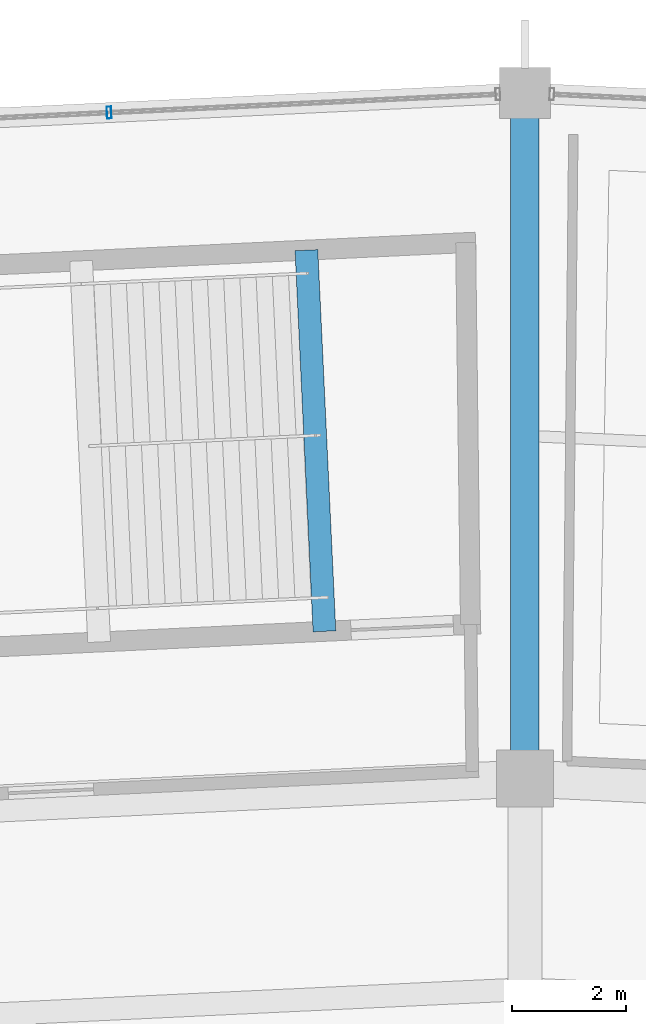
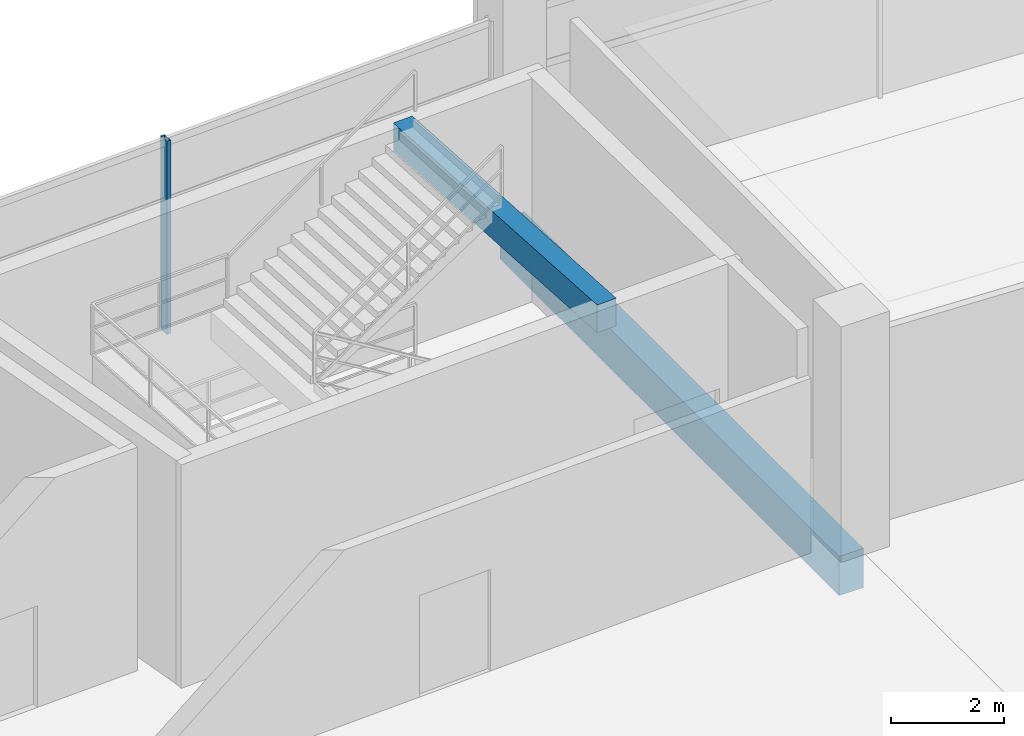
# One storey, part 120 of 184: 2 beams, 1 member, 1 element without a shape of its own.
"""IFC4 building model written with IfcOpenShell, lengths in metres."""

from ifc_helpers import new_model, si_unit, direction, frame, origin, origin_2d, place, context, subcontext, project, spatial, rectangle, hollow_rectangle, extrude, material, layer, layer_set, material_profile, profile_set, type_object, element, aggregate, save


model = new_model("IFC4")

# Units and contexts
model_context = context("Model", 3, precision=1e-05, world=origin(), true_north=direction((0.0, 1.0)))
body_context = subcontext(model_context, "Body", "Model", "MODEL_VIEW")
ifc_project = project(units=[si_unit("LENGTHUNIT", "METRE"), si_unit("AREAUNIT", "SQUARE_METRE"), si_unit("VOLUMEUNIT", "CUBIC_METRE"), si_unit("PLANEANGLEUNIT", "RADIAN"), si_unit("MASSUNIT", "GRAM", prefix="KILO")], contexts=[model_context])

# Site, building, storey
site_placement = place(None, origin())
site = spatial("IfcSite", under=ifc_project, at=site_placement, CompositionType="ELEMENT")
building_placement = place(site_placement, origin())
building = spatial("IfcBuilding", under=site, at=building_placement, Name="Kazemori Nagisa Stadium", CompositionType="ELEMENT")
storey_placement = place(building_placement, frame((0.0, 0.0, 10.5400390625)))
storey = spatial("IfcBuildingStorey", under=building, at=storey_placement, Name="L02", CompositionType="ELEMENT", Elevation=10.5400390625)

# Beams
ifc_material_1 = material(Name="Concrete C40/50 (Fc42)", Category="concrete")
ifc_material_profile_1 = material_profile(ifc_material_1, rectangle(XDim=0.39990234375, YDim=0.60009765625, at=origin_2d()), Name="RC-BM-400x600")
ifc_profile_set_1 = profile_set([ifc_material_profile_1], Name="Concrete C40/50 (Fc42)")
beam_type_1 = type_object("IfcBeamType", Name="Beam_BG-LND400X600", PredefinedType="BEAM", material=ifc_profile_set_1)
beam_1_placement = place(storey_placement, frame((119.48046875, 178.545654296875, 4.5400390625), z_axis=(-0.047222374852, 0.998884401377, 0.0), x_axis=(-0.998884401377, -0.047222374852, 0.0)))
element("IfcBeam", 1, at=beam_1_placement, inside=storey, type_object=beam_type_1, Name="Core stair arrival header girder ST05-L02", PredefinedType="BEAM", context=body_context, shape_type="SweptSolid", body=[
    extrude(rectangle(XDim=0.39990234375, YDim=0.60009765625, at=origin_2d()), origin(), (0.0, 0.0, 1.0), 6.700439453125),
])
ifc_material_profile_2 = material_profile(ifc_material_1, rectangle(XDim=0.5, YDim=0.85009765625, at=origin_2d()), Name="RC-BM-500x850")
ifc_profile_set_2 = profile_set([ifc_material_profile_2], Name="Concrete C40/50 (Fc42)")
beam_type_2 = type_object("IfcBeamType", Name="Beam_BG-RC500X850", PredefinedType="BEAM", material=ifc_profile_set_2)
beam_2_placement = place(storey_placement, frame((123.0, 175.9599609375, -0.68505859375), z_axis=(0.0, 1.0, 0.0), x_axis=(-1.0, 0.0, 0.0)))
element("IfcBeam", 2, at=beam_2_placement, inside=storey, type_object=beam_type_2, Name="Radial girder BG-RC500X850 L02 R2-R3-08", PredefinedType="BEAM", context=body_context, shape_type="SweptSolid", body=[
    extrude(rectangle(XDim=0.5, YDim=0.85009765625, at=origin_2d()), origin(), (0.0, 0.0, 1.0), 12.0400390625),
])

# Curtain wall, member
ifc_material_2 = material(Name="Anodised aluminium 6063-T5", Category="aluminium")
ifc_layer = layer(ifc_material_2, 0.2099609375, Name="Anodised aluminium 6063-T5", Category="aluminium")
ifc_layer_set = layer_set([ifc_layer], Name="Anodised aluminium 6063-T5")
curtain_wall_type = type_object("IfcCurtainWallType", Name="CW_L02R3_103", PredefinedType="USERDEFINED", material=ifc_layer_set)
curtain_wall_placement = place(storey_placement, origin())
curtain_wall = element("IfcCurtainWall", 3, at=curtain_wall_placement, inside=storey, type_object=curtain_wall_type, Name="Unitised curtain wall CW-L02R3-103 L02", ObjectType="UNITISED CURTAIN WALL", PredefinedType="USERDEFINED")
ifc_material_3 = material(Name="Aluminium 6063-T5 anodised", Category="aluminium")
ifc_material_profile_3 = material_profile(ifc_material_3, hollow_rectangle(XDim=0.080078125, YDim=0.2099609375, WallThickness=0.0048828125, at=origin_2d()), Name="ALU-MULL-80x210x5")
ifc_profile_set_3 = profile_set([ifc_material_profile_3], Name="Aluminium 6063-T5 anodised")
member_type = type_object("IfcMemberType", Name="Mullion_M02", PredefinedType="MULLION", material=ifc_profile_set_3)
member_placement = place(storey_placement, frame((115.69921875, 187.65478515625, 0.0), z_axis=(0.0, 0.0, 1.0), x_axis=(-0.998884022476, -0.047230388971, 0.0)))
member = element("IfcMember", 4, at=member_placement, type_object=member_type, Name="Curtain wall mullion CW-L02R3-103-M2", PredefinedType="MULLION", context=body_context, shape_type="SweptSolid", body=[
    extrude(hollow_rectangle(XDim=0.080078125, YDim=0.2099609375, WallThickness=0.0048828125, at=origin_2d()), origin(), (0.0, 0.0, 1.0), 4.18994140625),
])
aggregate(curtain_wall, [member])

save(model, "model.ifc")
